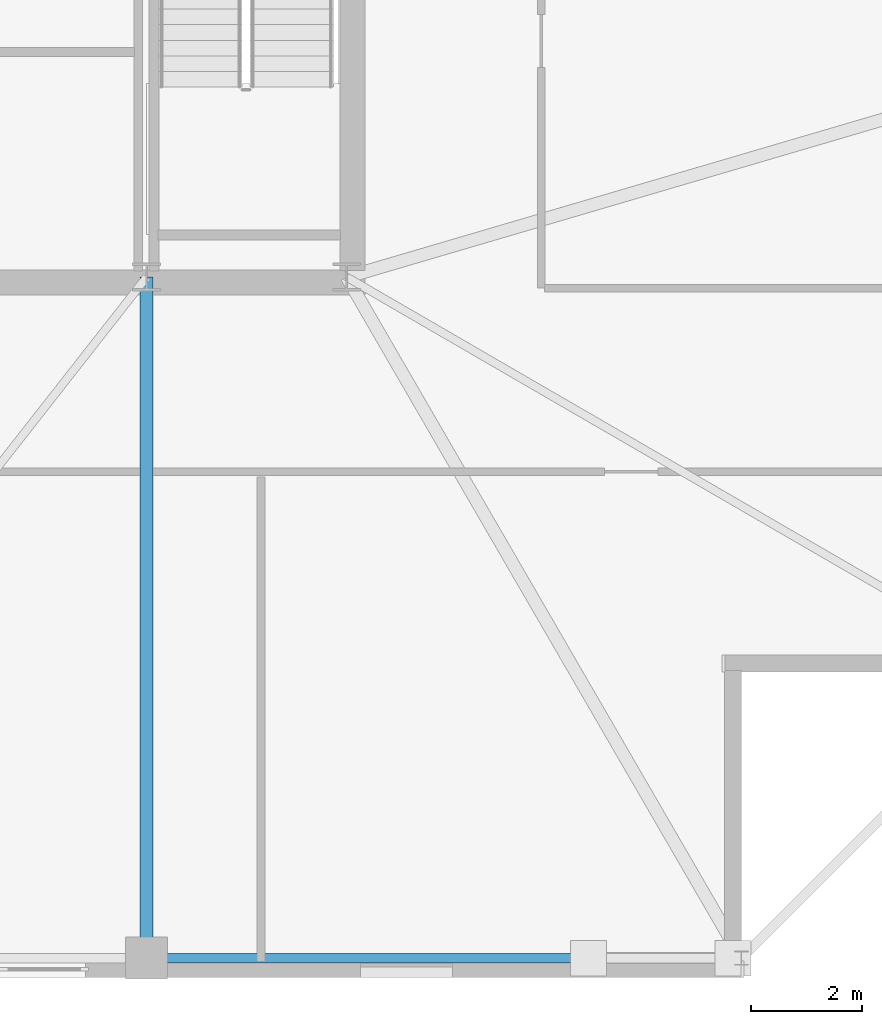
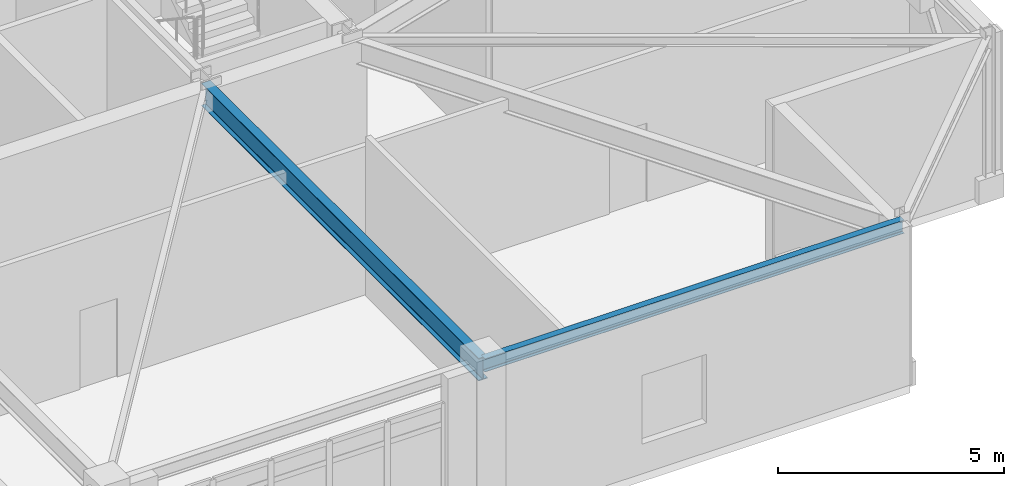
# One storey, part 7 of 16: 2 beams.
"""IFC4 building model written with IfcOpenShell, lengths in metres."""

from ifc_helpers import new_model, si_unit, direction, frame, origin, origin_2d, place, context, subcontext, project, spatial, i_section, extrude, material, material_profile, profile_set, type_object, element, save


model = new_model("IFC4")

# Units and contexts
model_context = context("Model", 3, precision=1e-05, world=origin(), true_north=direction((0.0, 1.0)))
body_context = subcontext(model_context, "Body", "Model", "MODEL_VIEW")
ifc_project = project(units=[si_unit("LENGTHUNIT", "METRE"), si_unit("AREAUNIT", "SQUARE_METRE"), si_unit("VOLUMEUNIT", "CUBIC_METRE"), si_unit("PLANEANGLEUNIT", "RADIAN"), si_unit("MASSUNIT", "GRAM", prefix="KILO")], contexts=[model_context])

# Site, building, storey
site_placement = place(None, origin())
site = spatial("IfcSite", under=ifc_project, at=site_placement, CompositionType="ELEMENT")
building_placement = place(site_placement, origin())
building = spatial("IfcBuilding", under=site, at=building_placement, Name="Cairnveth Concourse Tower", CompositionType="ELEMENT")
storey_placement = place(building_placement, frame((0.0, 0.0, 315.5)))
storey = spatial("IfcBuildingStorey", under=building, at=storey_placement, Name="L87", CompositionType="ELEMENT", Elevation=315.5)

# Beams
ifc_material = material(Name="Steel Grade 350", Category="steel")
ifc_material_profile_1 = material_profile(ifc_material, i_section(OverallWidth=0.22900390625, OverallDepth=0.612060546875, WebThickness=0.011962890625, FlangeThickness=0.01953125, FilletRadius=0.013916015625, at=origin_2d()), Name="610UB125")
ifc_profile_set_1 = profile_set([ifc_material_profile_1], Name="Steel Grade 350")
beam_type_1 = type_object("IfcBeamType", Name="ZONE 4 RADIAL GIRDER 610UB125", PredefinedType="BEAM", material=ifc_profile_set_1)
beam_1_placement = place(storey_placement, frame((56.800048828125, 18.35009765625, 3.98388671875), z_axis=(0.0, 1.0, 0.0), x_axis=(-1.0, 0.0, 0.0)))
element("IfcBeam", 1, at=beam_1_placement, inside=storey, type_object=beam_type_1, Name="Beam RG-S2 L87", PredefinedType="BEAM", context=body_context, shape_type="SweptSolid", body=[
    extrude(i_section(OverallWidth=0.22900390625, OverallDepth=0.612060546875, WebThickness=0.011962890625, FlangeThickness=0.01953125, FilletRadius=0.013916015625, at=origin_2d()), origin(), (0.0, 0.0, 1.0), 12.25),
])
ifc_material_profile_2 = material_profile(ifc_material, i_section(OverallWidth=0.172119140625, OverallDepth=0.35888671875, WebThickness=0.008056640625, FlangeThickness=0.012939453125, FilletRadius=0.010986328125, at=origin_2d()), Name="360UB56.7")
ifc_profile_set_2 = profile_set([ifc_material_profile_2], Name="Steel Grade 350")
beam_type_2 = type_object("IfcBeamType", Name="ZONE 4 SPANDREL BEAM 360UB56.7", PredefinedType="SPANDREL", material=ifc_profile_set_2)
beam_2_placement = place(storey_placement, frame((56.800048828125, 18.35009765625, 4.110595703125), z_axis=(1.0, 0.0, 0.0), x_axis=(0.0, 1.0, 0.0)))
element("IfcBeam", 2, at=beam_2_placement, inside=storey, type_object=beam_type_2, Name="Beam SP-S3 L87", PredefinedType="SPANDREL", context=body_context, shape_type="SweptSolid", body=[
    extrude(i_section(OverallWidth=0.172119140625, OverallDepth=0.35888671875, WebThickness=0.008056640625, FlangeThickness=0.012939453125, FilletRadius=0.010986328125, at=origin_2d()), origin(), (0.0, 0.0, 1.0), 10.699951171875),
])

save(model, "model.ifc")
